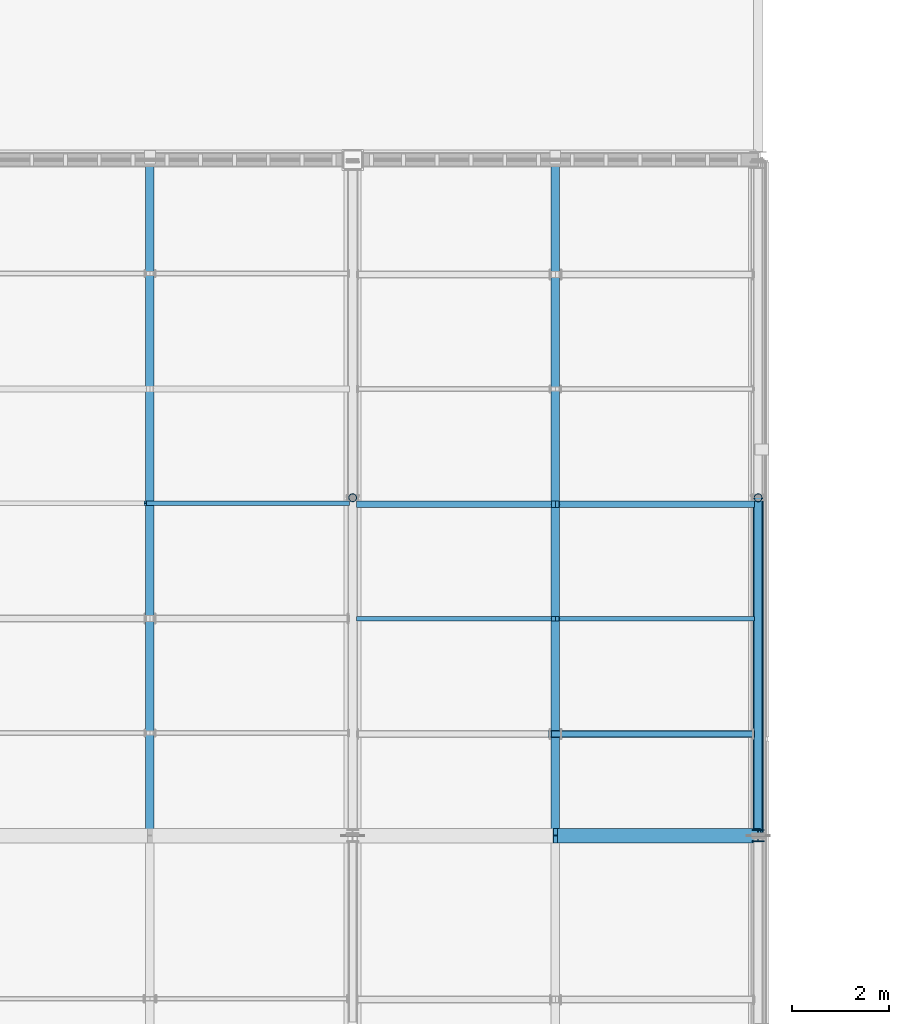
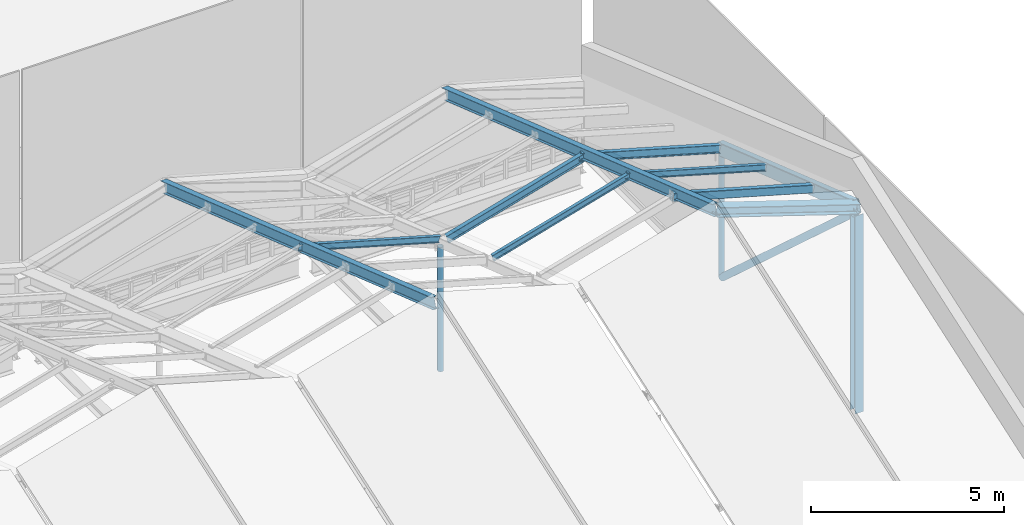
# One storey, part 34 of 77: 14 members.
"""IFC4 building model written with IfcOpenShell, lengths in metres."""

from ifc_helpers import new_model, si_unit, direction, frame, origin, origin_2d, place, context, subcontext, project, spatial, hollow_rectangle, hollow_circle, i_section, extrude, material, material_profile, profile_set, type_object, element, save


model = new_model("IFC4")

# Units and contexts
model_context = context("Model", 3, precision=1e-05, world=origin(), true_north=direction((0.0, 1.0)))
body_context = subcontext(model_context, "Body", "Model", "MODEL_VIEW")
ifc_project = project(units=[si_unit("LENGTHUNIT", "METRE"), si_unit("AREAUNIT", "SQUARE_METRE"), si_unit("VOLUMEUNIT", "CUBIC_METRE"), si_unit("PLANEANGLEUNIT", "RADIAN"), si_unit("MASSUNIT", "GRAM", prefix="KILO")], contexts=[model_context])

# Site, building, storey
site_placement = place(None, origin())
site = spatial("IfcSite", under=ifc_project, at=site_placement, CompositionType="ELEMENT")
building_placement = place(site_placement, origin())
building = spatial("IfcBuilding", under=site, at=building_placement, Name="Larkvane Passage Sports Hall", CompositionType="ELEMENT")
storey_placement = place(building_placement, frame((0.0, 0.0, 22.199951171875)))
storey = spatial("IfcBuildingStorey", under=building, at=storey_placement, Name="RF", CompositionType="ELEMENT", Elevation=22.199951171875)

# Members
ifc_material_1 = material(Name="Steel S355JR", Category="steel")
ifc_material_profile_1 = material_profile(ifc_material_1, hollow_circle(Radius=0.108154296875, WallThickness=0.00830078125, at=origin_2d()), Name="CHS-216.3x8.2")
ifc_profile_set_1 = profile_set([ifc_material_profile_1], Name="Steel S355JR")
member_type_1 = type_object("IfcMemberType", Name="MBR-BR-CHS216", PredefinedType="BRACE", material=ifc_profile_set_1)
member_1_placement = place(storey_placement, frame((93.60009765625, 61.64990234375, 6.489990234375), z_axis=(0.0, 0.741161043602, -0.67132727298), x_axis=(-1.0, 0.0, 0.0)))
element("IfcMember", 1, at=member_1_placement, inside=storey, type_object=member_type_1, Name="Arena roof truss 8 web brace 5", PredefinedType="BRACE", context=body_context, shape_type="SweptSolid", body=[
    extrude(hollow_circle(Radius=0.108154296875, WallThickness=0.00830078125, at=origin_2d()), origin(), (0.0, 0.0, 1.0), 9.309814453125),
])
ifc_material_2 = material(Name="Steel S460N", Category="steel")
ifc_material_profile_2 = material_profile(ifc_material_2, i_section(OverallWidth=0.300048828125, OverallDepth=0.300048828125, WebThickness=0.010009765625, FlangeThickness=0.014892578125, FilletRadius=0.012939453125, at=origin_2d()), Name="H-300x300x10x15")
ifc_profile_set_2 = profile_set([ifc_material_profile_2], Name="Steel S460N")
member_type_2 = type_object("IfcMemberType", Name="MBR-CH-H300", PredefinedType="CHORD", material=ifc_profile_set_2)
member_2_placement = place(storey_placement, frame((89.39990234375, 61.60009765625, 8.050048828125), z_axis=(0.950697258779, 0.0, -0.310120496179), x_axis=(0.0, 1.0, 0.0)))
element("IfcMember", 2, at=member_2_placement, inside=storey, type_object=member_type_2, Name="Arena roof fold tie 7-RIDGE-E", PredefinedType="CHORD", context=body_context, shape_type="SweptSolid", body=[
    extrude(i_section(OverallWidth=0.300048828125, OverallDepth=0.300048828125, WebThickness=0.010009765625, FlangeThickness=0.014892578125, FilletRadius=0.012939453125, at=origin_2d()), origin(), (0.0, 0.0, 1.0), 4.41796875),
])
ifc_material_profile_3 = material_profile(ifc_material_2, hollow_rectangle(XDim=0.199951171875, YDim=0.39990234375, WallThickness=0.013916015625, InnerFilletRadius=0.013916015625, OuterFilletRadius=0.028076171875, at=origin_2d()), Name="RHS-400x200x14")
ifc_profile_set_3 = profile_set([ifc_material_profile_3], Name="Steel S460N")
member_type_3 = type_object("IfcMemberType", Name="MBR-CH-RHS400", PredefinedType="CHORD", material=ifc_profile_set_3)
member_3_placement = place(storey_placement, frame((93.60009765625, 61.60009765625, 6.679931640625), z_axis=(0.0, 0.945949994576, -0.324312515579), x_axis=(-1.0, 0.0, 0.0)))
element("IfcMember", 3, at=member_3_placement, inside=storey, type_object=member_type_3, Name="Arena roof truss 8 top chord 5", PredefinedType="CHORD", context=body_context, shape_type="SweptSolid", body=[
    extrude(hollow_rectangle(XDim=0.199951171875, YDim=0.39990234375, WallThickness=0.013916015625, InnerFilletRadius=0.013916015625, OuterFilletRadius=0.028076171875, at=origin_2d()), origin(), (0.0, 0.0, 1.0), 7.39990234375),
])
ifc_material_profile_4 = material_profile(ifc_material_1, i_section(OverallWidth=0.10009765625, OverallDepth=0.199951171875, WebThickness=0.005615234375, FlangeThickness=0.008056640625, FilletRadius=0.008056640625, at=origin_2d()), Name="H-200x100x5.5x8")
ifc_profile_set_4 = profile_set([ifc_material_profile_4], Name="Steel S355JR")
member_type_4 = type_object("IfcMemberType", Name="MBR-PR-H200", PredefinedType="PURLIN", material=ifc_profile_set_4)
member_4_placement = place(storey_placement, frame((80.90478515625, 68.48583984375, 5.666748046875), z_axis=(0.96152605678, 0.0, -0.274713745804), x_axis=(0.0, 1.0, 0.0)))
element("IfcMember", 4, at=member_4_placement, inside=storey, type_object=member_type_4, Name="Folded roof purlin FRP-B6-NE-3", PredefinedType="PURLIN", context=body_context, shape_type="SweptSolid", body=[
    extrude(i_section(OverallWidth=0.10009765625, OverallDepth=0.199951171875, WebThickness=0.005615234375, FlangeThickness=0.008056640625, FilletRadius=0.008056640625, at=origin_2d()), origin(), (0.0, 0.0, 1.0), 4.367919921875),
])
for number, where, z_axis, x_axis, name in (
    (5, (85.3056640625, 66.09326171875, 5.24609375), (0.961511291812, 0.0, 0.274765419436), (0.0, 1.0, 0.0), "Folded roof purlin FRP-B7-NW-2"),
    (6, (89.29443359375, 66.09326171875, 6.4462890625), (0.961511291812, 0.0, -0.274765419436), (0.0, 1.0, 0.0), "Folded roof purlin FRP-B7-NE-2"),
):
    element("IfcMember", number, at=place(storey_placement, frame(where, z_axis=z_axis, x_axis=x_axis)), inside=storey, type_object=member_type_4, Name=name, PredefinedType="PURLIN", context=body_context, shape_type="SweptSolid", body=[
        extrude(i_section(OverallWidth=0.10009765625, OverallDepth=0.199951171875, WebThickness=0.005615234375, FlangeThickness=0.008056640625, FilletRadius=0.008056640625, at=origin_2d()), origin(), (0.0, 0.0, 1.0), 4.3681640625),
    ])
ifc_material_profile_5 = material_profile(ifc_material_1, i_section(OverallWidth=0.125, OverallDepth=0.25, WebThickness=0.006103515625, FlangeThickness=0.009033203125, FilletRadius=0.008056640625, at=origin_2d()), Name="H-250x125x6x9")
ifc_profile_set_5 = profile_set([ifc_material_profile_5], Name="Steel S355JR")
member_type_5 = type_object("IfcMemberType", Name="MBR-PR-H250", PredefinedType="PURLIN", material=ifc_profile_set_5)
for number, where, z_axis, x_axis, name in (
    (7, (85.312255859375, 68.46533203125, 4.407470703125), (0.96152605678, 0.0, 0.274713745804), (0.0, 1.0, 0.0), "Folded roof purlin FRP-B7-NW-3"),
    (8, (89.287841796875, 68.46533203125, 5.607421875), (0.96152605678, 0.0, -0.274713745804), (0.0, 1.0, 0.0), "Folded roof purlin FRP-B7-NE-3"),
):
    element("IfcMember", number, at=place(storey_placement, frame(where, z_axis=z_axis, x_axis=x_axis)), inside=storey, type_object=member_type_5, Name=name, PredefinedType="PURLIN", context=body_context, shape_type="SweptSolid", body=[
        extrude(i_section(OverallWidth=0.125, OverallDepth=0.25, WebThickness=0.006103515625, FlangeThickness=0.009033203125, FilletRadius=0.008056640625, at=origin_2d()), origin(), (0.0, 0.0, 1.0), 4.367919921875),
    ])
ifc_material_profile_6 = material_profile(ifc_material_1, hollow_rectangle(XDim=0.14990234375, YDim=0.25, WallThickness=0.009033203125, InnerFilletRadius=0.009033203125, OuterFilletRadius=0.01806640625, at=origin_2d()), Name="RHS-250x150x9")
ifc_profile_set_6 = profile_set([ifc_material_profile_6], Name="Steel S355JR")
member_type_6 = type_object("IfcMemberType", Name="MBR-PR-RHS250", PredefinedType="PURLIN", material=ifc_profile_set_6)
member_5_placement = place(storey_placement, frame((89.287841796875, 63.705322265625, 7.239501953125), z_axis=(0.961511291812, 0.0, -0.274765419436), x_axis=(0.0, 1.0, 0.0)))
element("IfcMember", 9, at=member_5_placement, inside=storey, type_object=member_type_6, Name="Folded roof purlin FRP-B7-NE-1", PredefinedType="PURLIN", context=body_context, shape_type="SweptSolid", body=[
    extrude(hollow_rectangle(XDim=0.14990234375, YDim=0.25, WallThickness=0.009033203125, InnerFilletRadius=0.009033203125, OuterFilletRadius=0.01806640625, at=origin_2d()), origin(), (0.0, 0.0, 1.0), 4.3681640625),
])
ifc_material_profile_7 = material_profile(ifc_material_1, i_section(OverallWidth=0.175048828125, OverallDepth=0.35009765625, WebThickness=0.007080078125, FlangeThickness=0.010986328125, FilletRadius=0.012939453125, at=origin_2d()), Name="H-350x175x7x11")
ifc_profile_set_7 = profile_set([ifc_material_profile_7], Name="Steel S355JR")
member_type_7 = type_object("IfcMemberType", Name="MBR-RF-H350", PredefinedType="RAFTER", material=ifc_profile_set_7)
for number, where, z_axis, x_axis, name in (
    (10, (81.0, 61.60009765625, 8.050048828125), (0.0, 0.945944933771, -0.324327276487), (-1.0, 0.0, 0.0), "Arena roof fold peak rafter 6-N"),
    (11, (89.39990234375, 61.60009765625, 8.050048828125), (0.0, 0.945944933771, -0.324327276487), (-1.0, 0.0, 0.0), "Arena roof fold peak rafter 7-N"),
):
    element("IfcMember", number, at=place(storey_placement, frame(where, z_axis=z_axis, x_axis=x_axis)), inside=storey, type_object=member_type_7, Name=name, PredefinedType="RAFTER", context=body_context, shape_type="SweptSolid", body=[
        extrude(i_section(OverallWidth=0.175048828125, OverallDepth=0.35009765625, WebThickness=0.007080078125, FlangeThickness=0.010986328125, FilletRadius=0.012939453125, at=origin_2d()), origin(), (0.0, 0.0, 1.0), 14.800048828125),
    ])
ifc_material_profile_8 = material_profile(ifc_material_1, hollow_circle(Radius=0.08251953125, WallThickness=0.006103515625, at=origin_2d()), Name="CHS-165.2x6.0")
ifc_profile_set_8 = profile_set([ifc_material_profile_8], Name="Steel S355JR")
member_type_8 = type_object("IfcMemberType", Name="MBR-ST-CHS165", PredefinedType="STRUT", material=ifc_profile_set_8)
member_6_placement = place(storey_placement, frame((85.199951171875, 68.60009765625, 0.215087890625), z_axis=(0.0, 0.0, 1.0), x_axis=(1.0, 0.0, 0.0)))
element("IfcMember", 12, at=member_6_placement, inside=storey, type_object=member_type_8, Name="Arena roof truss 7 vertical strut 5", PredefinedType="STRUT", context=body_context, shape_type="SweptSolid", body=[
    extrude(hollow_circle(Radius=0.08251953125, WallThickness=0.006103515625, at=origin_2d()), origin(), (0.0, 0.0, 1.0), 3.925048828125),
])
member_7_placement = place(storey_placement, frame((93.60009765625, 68.60009765625, 0.239990234375), z_axis=(0.0, 0.0, 1.0), x_axis=(1.0, 0.0, 0.0)))
element("IfcMember", 13, at=member_7_placement, inside=storey, type_object=member_type_8, Name="Arena roof truss 8 vertical strut 5", PredefinedType="STRUT", context=body_context, shape_type="SweptSolid", body=[
    extrude(hollow_circle(Radius=0.08251953125, WallThickness=0.006103515625, at=origin_2d()), origin(), (0.0, 0.0, 1.0), 3.85009765625),
])
ifc_material_profile_9 = material_profile(ifc_material_1, i_section(OverallWidth=0.25, OverallDepth=0.25, WebThickness=0.009033203125, FlangeThickness=0.013916015625, FilletRadius=0.012939453125, at=origin_2d()), Name="H-250x250x9x14")
ifc_profile_set_9 = profile_set([ifc_material_profile_9], Name="Steel S355JR")
member_type_9 = type_object("IfcMemberType", Name="MBR-ST-H250", PredefinedType="STRUT", material=ifc_profile_set_9)
member_8_placement = place(storey_placement, frame((93.60009765625, 61.60009765625, 0.239990234375), z_axis=(0.0, 0.0, 1.0), x_axis=(1.0, 0.0, 0.0)))
element("IfcMember", 14, at=member_8_placement, inside=storey, type_object=member_type_9, Name="Arena roof truss 8 vertical strut 4", PredefinedType="STRUT", context=body_context, shape_type="SweptSolid", body=[
    extrude(i_section(OverallWidth=0.25, OverallDepth=0.25, WebThickness=0.009033203125, FlangeThickness=0.013916015625, FilletRadius=0.012939453125, at=origin_2d()), origin(), (0.0, 0.0, 1.0), 6.25),
])

save(model, "model.ifc")
